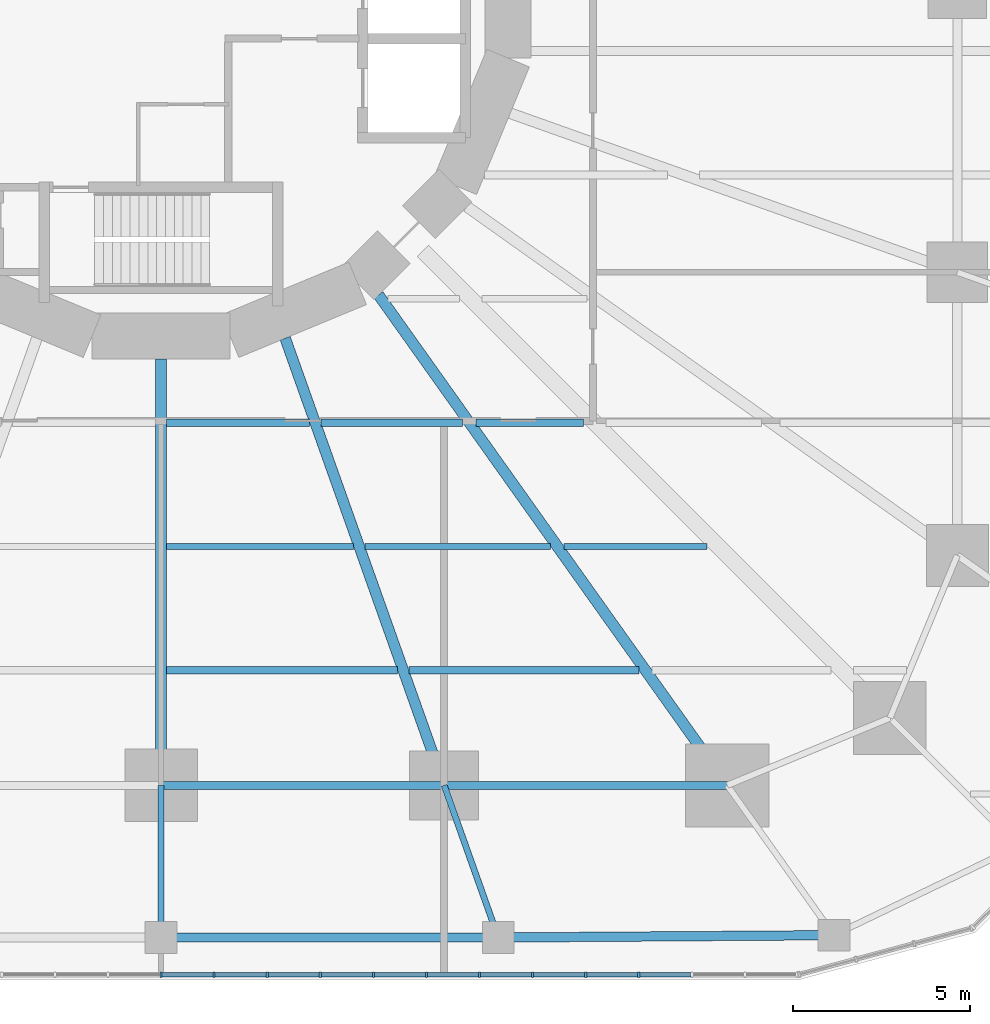
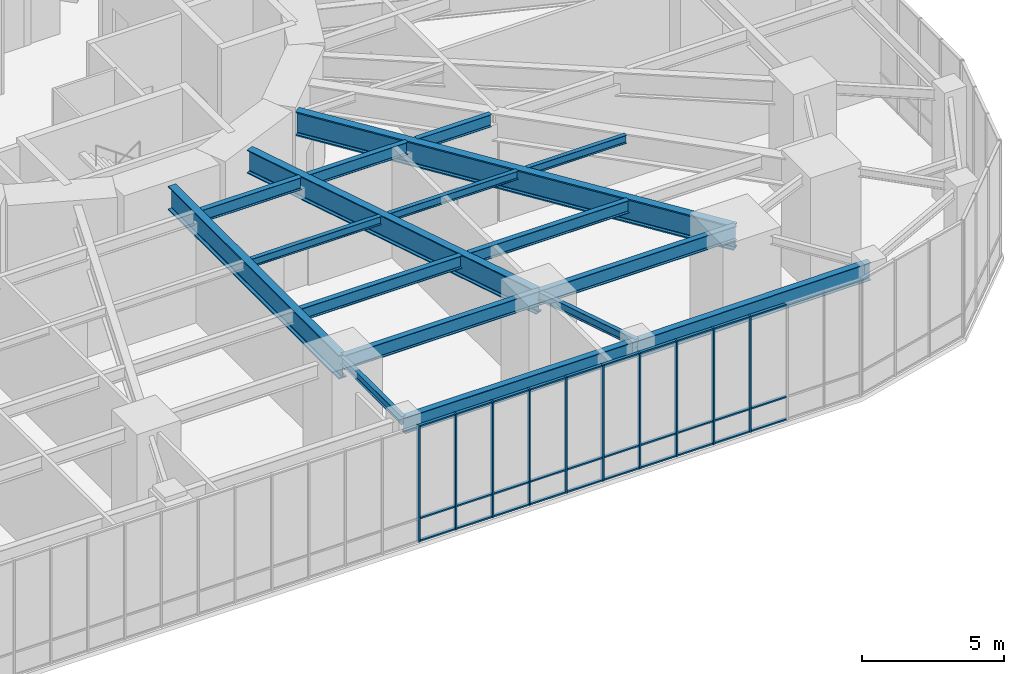
# One storey, part 6 of 24: 40 members, 17 beams, 1 element without a shape of its own.
"""IFC4 building model written with IfcOpenShell, lengths in metres."""

from ifc_helpers import new_model, si_unit, direction, frame, origin, origin_2d, place, context, subcontext, project, spatial, rectangle, i_section, extrude, material, material_profile, profile_set, type_object, element, aggregate, save


model = new_model("IFC4")

# Units and contexts
model_context = context("Model", 3, precision=1e-05, world=origin(), true_north=direction((0.0, 1.0)))
body_context = subcontext(model_context, "Body", "Model", "MODEL_VIEW")
ifc_project = project(units=[si_unit("LENGTHUNIT", "METRE"), si_unit("AREAUNIT", "SQUARE_METRE"), si_unit("VOLUMEUNIT", "CUBIC_METRE"), si_unit("PLANEANGLEUNIT", "RADIAN"), si_unit("MASSUNIT", "GRAM", prefix="KILO")], contexts=[model_context])

# Site, building, storey
site_placement = place(None, origin())
site = spatial("IfcSite", under=ifc_project, at=site_placement, CompositionType="ELEMENT")
building_placement = place(site_placement, origin())
building = spatial("IfcBuilding", under=site, at=building_placement, Name="Nakasero Lantern House", CompositionType="ELEMENT")
storey_placement = place(building_placement, frame((0.0, 0.0, 11.0)))
storey = spatial("IfcBuildingStorey", under=building, at=storey_placement, Name="L02", CompositionType="ELEMENT", Elevation=11.0)

# Beams
ifc_material_1 = material(Name="Steel S355", Category="steel")
ifc_material_profile_1 = material_profile(ifc_material_1, i_section(OverallWidth=0.17138671875, OverallDepth=0.35498046875, WebThickness=0.00732421875, FlangeThickness=0.011474609375, FilletRadius=0.01025390625, at=origin_2d()), Name="UB 356x171x51")
ifc_profile_set_1 = profile_set([ifc_material_profile_1], Name="Steel S355")
beam_type_1 = type_object("IfcBeamType", Name="Infill beam UB 356x171x51", PredefinedType="JOIST", material=ifc_profile_set_1)
beam_1_placement = place(storey_placement, frame((0.152587890625, -15.75, 4.62255859375), z_axis=(1.0, 0.0, 0.0), x_axis=(0.0, 1.0, 0.0)))
element("IfcBeam", 1, at=beam_1_placement, inside=storey, type_object=beam_type_1, Name="Infill beam L03 04.4", PredefinedType="JOIST", context=body_context, shape_type="SweptSolid", body=[
    extrude(i_section(OverallWidth=0.17138671875, OverallDepth=0.35498046875, WebThickness=0.00732421875, FlangeThickness=0.011474609375, FilletRadius=0.01025390625, at=origin_2d()), origin(), (0.0, 0.0, 1.0), 5.287109375),
])
beam_2_placement = place(storey_placement, frame((5.76025390625, -15.75, 4.62255859375), z_axis=(1.0, 0.0, 0.0), x_axis=(0.0, 1.0, 0.0)))
element("IfcBeam", 2, at=beam_2_placement, inside=storey, type_object=beam_type_1, Name="Infill beam L03 04.5", PredefinedType="JOIST", context=body_context, shape_type="SweptSolid", body=[
    extrude(i_section(OverallWidth=0.17138671875, OverallDepth=0.35498046875, WebThickness=0.00732421875, FlangeThickness=0.011474609375, FilletRadius=0.01025390625, at=origin_2d()), origin(), (0.0, 0.0, 1.0), 5.25048828125),
])
beam_3_placement = place(storey_placement, frame((11.38916015625, -15.75, 4.62255859375), z_axis=(1.0, 0.0, 0.0), x_axis=(0.0, 1.0, 0.0)))
element("IfcBeam", 3, at=beam_3_placement, inside=storey, type_object=beam_type_1, Name="Infill beam L03 04.6", PredefinedType="JOIST", context=body_context, shape_type="SweptSolid", body=[
    extrude(i_section(OverallWidth=0.17138671875, OverallDepth=0.35498046875, WebThickness=0.00732421875, FlangeThickness=0.011474609375, FilletRadius=0.01025390625, at=origin_2d()), origin(), (0.0, 0.0, 1.0), 4.042724609375),
])
ifc_material_2 = material(Name="Steel S355", Category="steel")
ifc_material_profile_2 = material_profile(ifc_material_2, i_section(OverallWidth=0.2099609375, OverallDepth=0.53662109375, WebThickness=0.0107421875, FlangeThickness=0.017333984375, FilletRadius=0.0126953125, at=origin_2d()), Name="UB 533x210x101")
ifc_profile_set_2 = profile_set([ifc_material_profile_2], Name="Steel S355")
beam_type_2 = type_object("IfcBeamType", Name="Infill beam UB 533x210x101", PredefinedType="JOIST", material=ifc_profile_set_2)
beam_4_placement = place(storey_placement, frame((0.152587890625, -19.25, 4.53173828125), z_axis=(1.0, 0.0, 0.0), x_axis=(0.0, 1.0, 0.0)))
element("IfcBeam", 4, at=beam_4_placement, inside=storey, type_object=beam_type_2, Name="Infill beam L03 03.5", PredefinedType="JOIST", context=body_context, shape_type="SweptSolid", body=[
    extrude(i_section(OverallWidth=0.2099609375, OverallDepth=0.53662109375, WebThickness=0.0107421875, FlangeThickness=0.017333984375, FilletRadius=0.0126953125, at=origin_2d()), origin(), (0.0, 0.0, 1.0), 6.531494140625),
])
beam_5_placement = place(storey_placement, frame((7.004638671875, -19.25, 4.53173828125), z_axis=(1.0, 0.0, 0.0), x_axis=(0.0, 1.0, 0.0)))
element("IfcBeam", 5, at=beam_5_placement, inside=storey, type_object=beam_type_2, Name="Infill beam L03 03.6", PredefinedType="JOIST", context=body_context, shape_type="SweptSolid", body=[
    extrude(i_section(OverallWidth=0.2099609375, OverallDepth=0.53662109375, WebThickness=0.0107421875, FlangeThickness=0.017333984375, FilletRadius=0.0126953125, at=origin_2d()), origin(), (0.0, 0.0, 1.0), 6.494873046875),
])
ifc_material_3 = material(Name="Steel S355", Category="steel")
ifc_material_profile_3 = material_profile(ifc_material_3, i_section(OverallWidth=0.208740234375, OverallDepth=0.5283203125, WebThickness=0.009521484375, FlangeThickness=0.01318359375, FilletRadius=0.0126953125, at=origin_2d()), Name="UB 533x210x82")
ifc_profile_set_3 = profile_set([ifc_material_profile_3], Name="Steel S355")
beam_type_3 = type_object("IfcBeamType", Name="Infill beam UB 533x210x82", PredefinedType="JOIST", material=ifc_profile_set_3)
beam_6_placement = place(storey_placement, frame((0.152587890625, -12.25, 4.535888671875), z_axis=(1.0, 0.0, 0.0), x_axis=(0.0, 1.0, 0.0)))
element("IfcBeam", 6, at=beam_6_placement, inside=storey, type_object=beam_type_3, Name="Infill beam L03 05.7", PredefinedType="JOIST", context=body_context, shape_type="SweptSolid", body=[
    extrude(i_section(OverallWidth=0.208740234375, OverallDepth=0.5283203125, WebThickness=0.009521484375, FlangeThickness=0.01318359375, FilletRadius=0.0126953125, at=origin_2d()), origin(), (0.0, 0.0, 1.0), 4.042724609375),
])
beam_7_placement = place(storey_placement, frame((4.515869140625, -12.25, 4.535888671875), z_axis=(1.0, 0.0, 0.0), x_axis=(0.0, 1.0, 0.0)))
element("IfcBeam", 7, at=beam_7_placement, inside=storey, type_object=beam_type_3, Name="Infill beam L03 05.8", PredefinedType="JOIST", context=body_context, shape_type="SweptSolid", body=[
    extrude(i_section(OverallWidth=0.208740234375, OverallDepth=0.5283203125, WebThickness=0.009521484375, FlangeThickness=0.01318359375, FilletRadius=0.0126953125, at=origin_2d()), origin(), (0.0, 0.0, 1.0), 4.005859375),
])
beam_8_placement = place(storey_placement, frame((8.900390625, -12.25, 4.535888671875), z_axis=(1.0, 0.0, 0.0), x_axis=(0.0, 1.0, 0.0)))
element("IfcBeam", 8, at=beam_8_placement, inside=storey, type_object=beam_type_3, Name="Infill beam L03 05.9", PredefinedType="JOIST", context=body_context, shape_type="SweptSolid", body=[
    extrude(i_section(OverallWidth=0.208740234375, OverallDepth=0.5283203125, WebThickness=0.009521484375, FlangeThickness=0.01318359375, FilletRadius=0.0126953125, at=origin_2d()), origin(), (0.0, 0.0, 1.0), 3.031494140625),
])

# Curtain wall, members
ifc_material_4 = material(Name="Aluminium 6063-T6 and glass", Category="aluminium")
curtain_wall_type = type_object("IfcCurtainWallType", Name="Podium curtain wall CW-2", PredefinedType="USERDEFINED", material=ifc_material_4)
curtain_wall_placement = place(storey_placement, origin())
curtain_wall = element("IfcCurtainWall", 9, at=curtain_wall_placement, inside=storey, type_object=curtain_wall_type, Name="Curtain wall CW-2 L02", ObjectType="STICK CURTAIN WALL", PredefinedType="USERDEFINED")
ifc_material_5 = material(Name="Aluminium 6063-T6", Category="aluminium")
ifc_material_profile_4 = material_profile(ifc_material_5, rectangle(XDim=0.06005859375, YDim=0.159912109375, at=origin_2d()), Name="CW-2 mullion 60x160")
ifc_profile_set_4 = profile_set([ifc_material_profile_4], Name="Aluminium 6063-T6")
member_type_1 = type_object("IfcMemberType", Name="Mullion CW-2", PredefinedType="MULLION", material=ifc_profile_set_4)
member_1_placement = place(storey_placement, frame((0.0, -27.85009765625, 0.0), z_axis=(0.0, 0.0, 1.0), x_axis=(1.0, 0.0, 0.0)))
member_1 = element("IfcMember", 10, at=member_1_placement, type_object=member_type_1, Name="CW-2 mullion 13", PredefinedType="MULLION", context=body_context, shape_type="SweptSolid", body=[
    extrude(rectangle(XDim=0.06005859375, YDim=0.159912109375, at=origin_2d()), origin(), (0.0, 0.0, 1.0), 5.0),
])
member_2_placement = place(storey_placement, frame((1.5, -27.85009765625, 0.0), z_axis=(0.0, 0.0, 1.0), x_axis=(1.0, 0.0, 0.0)))
member_2 = element("IfcMember", 11, at=member_2_placement, type_object=member_type_1, Name="CW-2 mullion 14", PredefinedType="MULLION", context=body_context, shape_type="SweptSolid", body=[
    extrude(rectangle(XDim=0.06005859375, YDim=0.159912109375, at=origin_2d()), origin(), (0.0, 0.0, 1.0), 5.0),
])
member_3_placement = place(storey_placement, frame((3.0, -27.85009765625, 0.0), z_axis=(0.0, 0.0, 1.0), x_axis=(1.0, 0.0, 0.0)))
member_3 = element("IfcMember", 12, at=member_3_placement, type_object=member_type_1, Name="CW-2 mullion 15", PredefinedType="MULLION", context=body_context, shape_type="SweptSolid", body=[
    extrude(rectangle(XDim=0.06005859375, YDim=0.159912109375, at=origin_2d()), origin(), (0.0, 0.0, 1.0), 5.0),
])
member_4_placement = place(storey_placement, frame((4.5, -27.85009765625, 0.0), z_axis=(0.0, 0.0, 1.0), x_axis=(1.0, 0.0, 0.0)))
member_4 = element("IfcMember", 13, at=member_4_placement, type_object=member_type_1, Name="CW-2 mullion 16", PredefinedType="MULLION", context=body_context, shape_type="SweptSolid", body=[
    extrude(rectangle(XDim=0.06005859375, YDim=0.159912109375, at=origin_2d()), origin(), (0.0, 0.0, 1.0), 5.0),
])
member_5_placement = place(storey_placement, frame((6.0, -27.85009765625, 0.0), z_axis=(0.0, 0.0, 1.0), x_axis=(1.0, 0.0, 0.0)))
member_5 = element("IfcMember", 14, at=member_5_placement, type_object=member_type_1, Name="CW-2 mullion 17", PredefinedType="MULLION", context=body_context, shape_type="SweptSolid", body=[
    extrude(rectangle(XDim=0.06005859375, YDim=0.159912109375, at=origin_2d()), origin(), (0.0, 0.0, 1.0), 5.0),
])
member_6_placement = place(storey_placement, frame((7.5, -27.85009765625, 0.0), z_axis=(0.0, 0.0, 1.0), x_axis=(1.0, 0.0, 0.0)))
member_6 = element("IfcMember", 15, at=member_6_placement, type_object=member_type_1, Name="CW-2 mullion 18", PredefinedType="MULLION", context=body_context, shape_type="SweptSolid", body=[
    extrude(rectangle(XDim=0.06005859375, YDim=0.159912109375, at=origin_2d()), origin(), (0.0, 0.0, 1.0), 5.0),
])
member_7_placement = place(storey_placement, frame((9.0, -27.85009765625, 0.0), z_axis=(0.0, 0.0, 1.0), x_axis=(1.0, 0.0, 0.0)))
member_7 = element("IfcMember", 16, at=member_7_placement, type_object=member_type_1, Name="CW-2 mullion 19", PredefinedType="MULLION", context=body_context, shape_type="SweptSolid", body=[
    extrude(rectangle(XDim=0.06005859375, YDim=0.159912109375, at=origin_2d()), origin(), (0.0, 0.0, 1.0), 5.0),
])
member_8_placement = place(storey_placement, frame((10.5, -27.85009765625, 0.0), z_axis=(0.0, 0.0, 1.0), x_axis=(1.0, 0.0, 0.0)))
member_8 = element("IfcMember", 17, at=member_8_placement, type_object=member_type_1, Name="CW-2 mullion 20", PredefinedType="MULLION", context=body_context, shape_type="SweptSolid", body=[
    extrude(rectangle(XDim=0.06005859375, YDim=0.159912109375, at=origin_2d()), origin(), (0.0, 0.0, 1.0), 5.0),
])
member_9_placement = place(storey_placement, frame((12.0, -27.85009765625, 0.0), z_axis=(0.0, 0.0, 1.0), x_axis=(1.0, 0.0, 0.0)))
member_9 = element("IfcMember", 18, at=member_9_placement, type_object=member_type_1, Name="CW-2 mullion 21", PredefinedType="MULLION", context=body_context, shape_type="SweptSolid", body=[
    extrude(rectangle(XDim=0.06005859375, YDim=0.159912109375, at=origin_2d()), origin(), (0.0, 0.0, 1.0), 5.0),
])
member_10_placement = place(storey_placement, frame((13.5, -27.85009765625, 0.0), z_axis=(0.0, 0.0, 1.0), x_axis=(1.0, 0.0, 0.0)))
member_10 = element("IfcMember", 19, at=member_10_placement, type_object=member_type_1, Name="CW-2 mullion 22", PredefinedType="MULLION", context=body_context, shape_type="SweptSolid", body=[
    extrude(rectangle(XDim=0.06005859375, YDim=0.159912109375, at=origin_2d()), origin(), (0.0, 0.0, 1.0), 5.0),
])

# Beams
ifc_material_6 = material(Name="Steel S355", Category="steel")
ifc_material_profile_5 = material_profile(ifc_material_6, i_section(OverallWidth=0.302001953125, OverallDepth=1.008056640625, WebThickness=0.02099609375, FlangeThickness=0.0400390625, FilletRadius=0.030029296875, at=origin_2d()), Name="UB 1016x305x349")
ifc_profile_set_5 = profile_set([ifc_material_profile_5], Name="Steel S355")
beam_type_4 = type_object("IfcBeamType", Name="Primary beam UB 1016x305x349, span 12 to 15 m", PredefinedType="BEAM", material=ifc_profile_set_5)
beam_9_placement = place(storey_placement, frame((8.0, -22.5, 4.2958984375), z_axis=(-0.335010745293, 0.942214307118, 0.0), x_axis=(-0.942214307118, -0.335010745293, 0.0)))
element("IfcBeam", 20, at=beam_9_placement, inside=storey, type_object=beam_type_4, Name="Primary beam L03 B1-C22", PredefinedType="BEAM", context=body_context, shape_type="SweptSolid", body=[
    extrude(i_section(OverallWidth=0.302001953125, OverallDepth=1.008056640625, WebThickness=0.02099609375, FlangeThickness=0.0400390625, FilletRadius=0.030029296875, at=origin_2d()), origin(), (0.0, 0.0, 1.0), 13.408447265625),
])
ifc_material_7 = material(Name="Steel S355", Category="steel")
ifc_material_profile_6 = material_profile(ifc_material_7, i_section(OverallWidth=0.305419921875, OverallDepth=1.026123046875, WebThickness=0.02685546875, FlangeThickness=0.049072265625, FilletRadius=0.030029296875, at=origin_2d()), Name="UB 1016x305x437")
ifc_profile_set_6 = profile_set([ifc_material_profile_6], Name="Steel S355")
beam_type_5 = type_object("IfcBeamType", Name="Primary beam UB 1016x305x437, span 12 to 15 m", PredefinedType="BEAM", material=ifc_profile_set_6)
beam_10_placement = place(storey_placement, frame((0.0, -22.5, 4.286865234375), z_axis=(0.0, 1.0, 0.0), x_axis=(-1.0, 0.0, 0.0)))
element("IfcBeam", 21, at=beam_10_placement, inside=storey, type_object=beam_type_5, Name="Primary beam L03 B1-C21", PredefinedType="BEAM", context=body_context, shape_type="SweptSolid", body=[
    extrude(i_section(OverallWidth=0.305419921875, OverallDepth=1.026123046875, WebThickness=0.02685546875, FlangeThickness=0.049072265625, FilletRadius=0.030029296875, at=origin_2d()), origin(), (0.0, 0.0, 1.0), 12.042236328125),
])
ifc_material_8 = material(Name="Steel S355", Category="steel")
ifc_material_profile_7 = material_profile(ifc_material_8, i_section(OverallWidth=0.30859375, OverallDepth=1.036376953125, WebThickness=0.030029296875, FlangeThickness=0.05419921875, FilletRadius=0.030029296875, at=origin_2d()), Name="UB 1016x305x487")
ifc_profile_set_7 = profile_set([ifc_material_profile_7], Name="Steel S355")
beam_type_6 = type_object("IfcBeamType", Name="Primary beam UB 1016x305x487, span over 15 m", PredefinedType="BEAM", material=ifc_profile_set_7)
beam_11_placement = place(storey_placement, frame((16.0, -22.5, 4.28173828125), z_axis=(-0.579528236629, 0.814952159915, 0.0), x_axis=(-0.814952159915, -0.579528236629, 0.0)))
element("IfcBeam", 22, at=beam_11_placement, inside=storey, type_object=beam_type_6, Name="Primary beam L03 B1-C23", PredefinedType="BEAM", context=body_context, shape_type="SweptSolid", body=[
    extrude(i_section(OverallWidth=0.30859375, OverallDepth=1.036376953125, WebThickness=0.030029296875, FlangeThickness=0.05419921875, FilletRadius=0.030029296875, at=origin_2d()), origin(), (0.0, 0.0, 1.0), 17.003173828125),
])
ifc_material_9 = material(Name="Steel S355", Category="steel")
ifc_material_profile_8 = material_profile(ifc_material_9, i_section(OverallWidth=0.17138671875, OverallDepth=0.35498046875, WebThickness=0.00732421875, FlangeThickness=0.011474609375, FilletRadius=0.01025390625, at=origin_2d()), Name="UB 356x171x51")
ifc_profile_set_8 = profile_set([ifc_material_profile_8], Name="Steel S355")
beam_type_7 = type_object("IfcBeamType", Name="Primary beam UB 356x171x51, span to 6 m", PredefinedType="BEAM", material=ifc_profile_set_8)
beam_12_placement = place(storey_placement, frame((0.0, -26.800048828125, 4.572509765625), z_axis=(0.0, 1.0, 0.0), x_axis=(-1.0, 0.0, 0.0)))
element("IfcBeam", 23, at=beam_12_placement, inside=storey, type_object=beam_type_7, Name="Primary beam L03 POD-C21", PredefinedType="BEAM", context=body_context, shape_type="SweptSolid", body=[
    extrude(i_section(OverallWidth=0.17138671875, OverallDepth=0.35498046875, WebThickness=0.00732421875, FlangeThickness=0.011474609375, FilletRadius=0.01025390625, at=origin_2d()), origin(), (0.0, 0.0, 1.0), 4.300048828125),
])
beam_13_placement = place(storey_placement, frame((9.52880859375, -26.800048828125, 4.572509765625), z_axis=(-0.334990670833, 0.942221444489, 0.0), x_axis=(-0.942221444489, -0.334990670833, 0.0)))
element("IfcBeam", 24, at=beam_13_placement, inside=storey, type_object=beam_type_7, Name="Primary beam L03 POD-C22", PredefinedType="BEAM", context=body_context, shape_type="SweptSolid", body=[
    extrude(i_section(OverallWidth=0.17138671875, OverallDepth=0.35498046875, WebThickness=0.00732421875, FlangeThickness=0.011474609375, FilletRadius=0.01025390625, at=origin_2d()), origin(), (0.0, 0.0, 1.0), 4.563720703125),
])
ifc_material_10 = material(Name="Steel S355", Category="steel")
ifc_material_profile_9 = material_profile(ifc_material_10, i_section(OverallWidth=0.22900390625, OverallDepth=0.6123046875, WebThickness=0.011962890625, FlangeThickness=0.01953125, FilletRadius=0.0126953125, at=origin_2d()), Name="UB 610x229x125")
ifc_profile_set_9 = profile_set([ifc_material_profile_9], Name="Steel S355")
beam_type_8 = type_object("IfcBeamType", Name="Ring beam UB 610x229x125", PredefinedType="BEAM", material=ifc_profile_set_9)
for number, where, z_axis, x_axis, name in (
    (25, (0.0, -22.5, 4.493896484375), (1.0, 0.0, 0.0), (0.0, 1.0, 0.0), "Ring beam L03 B1-C21"),
    (26, (8.0, -22.5, 4.493896484375), (1.0, 0.0, 0.0), (0.0, 1.0, 0.0), "Ring beam L03 B1-C22"),
):
    element("IfcBeam", number, at=place(storey_placement, frame(where, z_axis=z_axis, x_axis=x_axis)), inside=storey, type_object=beam_type_8, Name=name, PredefinedType="BEAM", context=body_context, shape_type="SweptSolid", body=[
        extrude(i_section(OverallWidth=0.22900390625, OverallDepth=0.6123046875, WebThickness=0.011962890625, FlangeThickness=0.01953125, FilletRadius=0.0126953125, at=origin_2d()), origin(), (0.0, 0.0, 1.0), 8.0),
    ])
ifc_material_11 = material(Name="Steel S355", Category="steel")
ifc_material_profile_10 = material_profile(ifc_material_11, i_section(OverallWidth=0.255859375, OverallDepth=0.69287109375, WebThickness=0.014404296875, FlangeThickness=0.023681640625, FilletRadius=0.01513671875, at=origin_2d()), Name="UB 686x254x170")
ifc_profile_set_10 = profile_set([ifc_material_profile_10], Name="Steel S355")
beam_type_9 = type_object("IfcBeamType", Name="Ring beam UB 686x254x170", PredefinedType="BEAM", material=ifc_profile_set_10)
beam_14_placement = place(storey_placement, frame((0.0, -26.800048828125, 4.403564453125), z_axis=(1.0, 0.0, 0.0), x_axis=(0.0, 1.0, 0.0)))
element("IfcBeam", 27, at=beam_14_placement, inside=storey, type_object=beam_type_9, Name="Ring beam L03 POD-C21", PredefinedType="BEAM", context=body_context, shape_type="SweptSolid", body=[
    extrude(i_section(OverallWidth=0.255859375, OverallDepth=0.69287109375, WebThickness=0.014404296875, FlangeThickness=0.023681640625, FilletRadius=0.01513671875, at=origin_2d()), origin(), (0.0, 0.0, 1.0), 9.52880859375),
])
ifc_material_12 = material(Name="Steel S355", Category="steel")
ifc_material_profile_11 = material_profile(ifc_material_12, i_section(OverallWidth=0.2666015625, OverallDepth=0.76220703125, WebThickness=0.014404296875, FlangeThickness=0.021484375, FilletRadius=0.0166015625, at=origin_2d()), Name="UB 762x267x173")
ifc_profile_set_11 = profile_set([ifc_material_profile_11], Name="Steel S355")
beam_type_10 = type_object("IfcBeamType", Name="Ring beam UB 762x267x173", PredefinedType="BEAM", material=ifc_profile_set_11)
beam_15_placement = place(storey_placement, frame((9.52880859375, -26.800048828125, 4.368896484375), z_axis=(0.999975476745, 0.007003278482, 0.0), x_axis=(-0.007003278482, 0.999975476745, 0.0)))
element("IfcBeam", 28, at=beam_15_placement, inside=storey, type_object=beam_type_10, Name="Ring beam L03 POD-C22", PredefinedType="BEAM", context=body_context, shape_type="SweptSolid", body=[
    extrude(i_section(OverallWidth=0.2666015625, OverallDepth=0.76220703125, WebThickness=0.014404296875, FlangeThickness=0.021484375, FilletRadius=0.0166015625, at=origin_2d()), origin(), (0.0, 0.0, 1.0), 9.482177734375),
])

# Member
ifc_material_13 = material(Name="Aluminium 6063-T6", Category="aluminium")
ifc_material_profile_12 = material_profile(ifc_material_13, rectangle(XDim=0.06005859375, YDim=0.1201171875, at=origin_2d()), Name="CW-2 transom 60x120")
ifc_profile_set_12 = profile_set([ifc_material_profile_12], Name="Aluminium 6063-T6")
member_type_2 = type_object("IfcMemberType", Name="Transom CW-2", PredefinedType="USERDEFINED", material=ifc_profile_set_12)
member_11_placement = place(storey_placement, frame((0.030029296875, -27.85009765625, 0.030029296875), z_axis=(1.0, 0.0, 0.0), x_axis=(0.0, 0.0, 1.0)))
member_11 = element("IfcMember", 29, at=member_11_placement, type_object=member_type_2, Name="CW-2 transom 13.1", ObjectType="TRANSOM", PredefinedType="USERDEFINED", context=body_context, shape_type="SweptSolid", body=[
    extrude(rectangle(XDim=0.06005859375, YDim=0.1201171875, at=origin_2d()), origin(), (0.0, 0.0, 1.0), 1.43994140625),
])

member_12_placement = place(storey_placement, frame((0.030029296875, -27.85009765625, 1.0), z_axis=(1.0, 0.0, 0.0), x_axis=(0.0, 0.0, 1.0)))
member_12 = element("IfcMember", 30, at=member_12_placement, type_object=member_type_2, Name="CW-2 transom 13.2", ObjectType="TRANSOM", PredefinedType="USERDEFINED", context=body_context, shape_type="SweptSolid", body=[
    extrude(rectangle(XDim=0.06005859375, YDim=0.1201171875, at=origin_2d()), origin(), (0.0, 0.0, 1.0), 1.43994140625),
])

member_13_placement = place(storey_placement, frame((0.030029296875, -27.85009765625, 4.969970703125), z_axis=(1.0, 0.0, 0.0), x_axis=(0.0, 0.0, 1.0)))
member_13 = element("IfcMember", 31, at=member_13_placement, type_object=member_type_2, Name="CW-2 transom 13.3", ObjectType="TRANSOM", PredefinedType="USERDEFINED", context=body_context, shape_type="SweptSolid", body=[
    extrude(rectangle(XDim=0.06005859375, YDim=0.1201171875, at=origin_2d()), origin(), (0.0, 0.0, 1.0), 1.43994140625),
])

member_14_placement = place(storey_placement, frame((1.530029296875, -27.85009765625, 0.030029296875), z_axis=(1.0, 0.0, 0.0), x_axis=(0.0, 0.0, 1.0)))
member_14 = element("IfcMember", 32, at=member_14_placement, type_object=member_type_2, Name="CW-2 transom 14.1", ObjectType="TRANSOM", PredefinedType="USERDEFINED", context=body_context, shape_type="SweptSolid", body=[
    extrude(rectangle(XDim=0.06005859375, YDim=0.1201171875, at=origin_2d()), origin(), (0.0, 0.0, 1.0), 1.43994140625),
])

member_15_placement = place(storey_placement, frame((1.530029296875, -27.85009765625, 1.0), z_axis=(1.0, 0.0, 0.0), x_axis=(0.0, 0.0, 1.0)))
member_15 = element("IfcMember", 33, at=member_15_placement, type_object=member_type_2, Name="CW-2 transom 14.2", ObjectType="TRANSOM", PredefinedType="USERDEFINED", context=body_context, shape_type="SweptSolid", body=[
    extrude(rectangle(XDim=0.06005859375, YDim=0.1201171875, at=origin_2d()), origin(), (0.0, 0.0, 1.0), 1.43994140625),
])

member_16_placement = place(storey_placement, frame((1.530029296875, -27.85009765625, 4.969970703125), z_axis=(1.0, 0.0, 0.0), x_axis=(0.0, 0.0, 1.0)))
member_16 = element("IfcMember", 34, at=member_16_placement, type_object=member_type_2, Name="CW-2 transom 14.3", ObjectType="TRANSOM", PredefinedType="USERDEFINED", context=body_context, shape_type="SweptSolid", body=[
    extrude(rectangle(XDim=0.06005859375, YDim=0.1201171875, at=origin_2d()), origin(), (0.0, 0.0, 1.0), 1.43994140625),
])

member_17_placement = place(storey_placement, frame((3.030029296875, -27.85009765625, 0.030029296875), z_axis=(1.0, 0.0, 0.0), x_axis=(0.0, 0.0, 1.0)))
member_17 = element("IfcMember", 35, at=member_17_placement, type_object=member_type_2, Name="CW-2 transom 15.1", ObjectType="TRANSOM", PredefinedType="USERDEFINED", context=body_context, shape_type="SweptSolid", body=[
    extrude(rectangle(XDim=0.06005859375, YDim=0.1201171875, at=origin_2d()), origin(), (0.0, 0.0, 1.0), 1.43994140625),
])

member_18_placement = place(storey_placement, frame((3.030029296875, -27.85009765625, 1.0), z_axis=(1.0, 0.0, 0.0), x_axis=(0.0, 0.0, 1.0)))
member_18 = element("IfcMember", 36, at=member_18_placement, type_object=member_type_2, Name="CW-2 transom 15.2", ObjectType="TRANSOM", PredefinedType="USERDEFINED", context=body_context, shape_type="SweptSolid", body=[
    extrude(rectangle(XDim=0.06005859375, YDim=0.1201171875, at=origin_2d()), origin(), (0.0, 0.0, 1.0), 1.43994140625),
])

member_19_placement = place(storey_placement, frame((3.030029296875, -27.85009765625, 4.969970703125), z_axis=(1.0, 0.0, 0.0), x_axis=(0.0, 0.0, 1.0)))
member_19 = element("IfcMember", 37, at=member_19_placement, type_object=member_type_2, Name="CW-2 transom 15.3", ObjectType="TRANSOM", PredefinedType="USERDEFINED", context=body_context, shape_type="SweptSolid", body=[
    extrude(rectangle(XDim=0.06005859375, YDim=0.1201171875, at=origin_2d()), origin(), (0.0, 0.0, 1.0), 1.43994140625),
])

member_20_placement = place(storey_placement, frame((4.530029296875, -27.85009765625, 0.030029296875), z_axis=(1.0, 0.0, 0.0), x_axis=(0.0, 0.0, 1.0)))
member_20 = element("IfcMember", 38, at=member_20_placement, type_object=member_type_2, Name="CW-2 transom 16.1", ObjectType="TRANSOM", PredefinedType="USERDEFINED", context=body_context, shape_type="SweptSolid", body=[
    extrude(rectangle(XDim=0.06005859375, YDim=0.1201171875, at=origin_2d()), origin(), (0.0, 0.0, 1.0), 1.43994140625),
])

member_21_placement = place(storey_placement, frame((4.530029296875, -27.85009765625, 1.0), z_axis=(1.0, 0.0, 0.0), x_axis=(0.0, 0.0, 1.0)))
member_21 = element("IfcMember", 39, at=member_21_placement, type_object=member_type_2, Name="CW-2 transom 16.2", ObjectType="TRANSOM", PredefinedType="USERDEFINED", context=body_context, shape_type="SweptSolid", body=[
    extrude(rectangle(XDim=0.06005859375, YDim=0.1201171875, at=origin_2d()), origin(), (0.0, 0.0, 1.0), 1.43994140625),
])

member_22_placement = place(storey_placement, frame((4.530029296875, -27.85009765625, 4.969970703125), z_axis=(1.0, 0.0, 0.0), x_axis=(0.0, 0.0, 1.0)))
member_22 = element("IfcMember", 40, at=member_22_placement, type_object=member_type_2, Name="CW-2 transom 16.3", ObjectType="TRANSOM", PredefinedType="USERDEFINED", context=body_context, shape_type="SweptSolid", body=[
    extrude(rectangle(XDim=0.06005859375, YDim=0.1201171875, at=origin_2d()), origin(), (0.0, 0.0, 1.0), 1.43994140625),
])

member_23_placement = place(storey_placement, frame((6.030029296875, -27.85009765625, 0.030029296875), z_axis=(1.0, 0.0, 0.0), x_axis=(0.0, 0.0, 1.0)))
member_23 = element("IfcMember", 41, at=member_23_placement, type_object=member_type_2, Name="CW-2 transom 17.1", ObjectType="TRANSOM", PredefinedType="USERDEFINED", context=body_context, shape_type="SweptSolid", body=[
    extrude(rectangle(XDim=0.06005859375, YDim=0.1201171875, at=origin_2d()), origin(), (0.0, 0.0, 1.0), 1.43994140625),
])

member_24_placement = place(storey_placement, frame((6.030029296875, -27.85009765625, 1.0), z_axis=(1.0, 0.0, 0.0), x_axis=(0.0, 0.0, 1.0)))
member_24 = element("IfcMember", 42, at=member_24_placement, type_object=member_type_2, Name="CW-2 transom 17.2", ObjectType="TRANSOM", PredefinedType="USERDEFINED", context=body_context, shape_type="SweptSolid", body=[
    extrude(rectangle(XDim=0.06005859375, YDim=0.1201171875, at=origin_2d()), origin(), (0.0, 0.0, 1.0), 1.43994140625),
])

member_25_placement = place(storey_placement, frame((6.030029296875, -27.85009765625, 4.969970703125), z_axis=(1.0, 0.0, 0.0), x_axis=(0.0, 0.0, 1.0)))
member_25 = element("IfcMember", 43, at=member_25_placement, type_object=member_type_2, Name="CW-2 transom 17.3", ObjectType="TRANSOM", PredefinedType="USERDEFINED", context=body_context, shape_type="SweptSolid", body=[
    extrude(rectangle(XDim=0.06005859375, YDim=0.1201171875, at=origin_2d()), origin(), (0.0, 0.0, 1.0), 1.43994140625),
])

member_26_placement = place(storey_placement, frame((7.530029296875, -27.85009765625, 0.030029296875), z_axis=(1.0, 0.0, 0.0), x_axis=(0.0, 0.0, 1.0)))
member_26 = element("IfcMember", 44, at=member_26_placement, type_object=member_type_2, Name="CW-2 transom 18.1", ObjectType="TRANSOM", PredefinedType="USERDEFINED", context=body_context, shape_type="SweptSolid", body=[
    extrude(rectangle(XDim=0.06005859375, YDim=0.1201171875, at=origin_2d()), origin(), (0.0, 0.0, 1.0), 1.43994140625),
])

member_27_placement = place(storey_placement, frame((7.530029296875, -27.85009765625, 1.0), z_axis=(1.0, 0.0, 0.0), x_axis=(0.0, 0.0, 1.0)))
member_27 = element("IfcMember", 45, at=member_27_placement, type_object=member_type_2, Name="CW-2 transom 18.2", ObjectType="TRANSOM", PredefinedType="USERDEFINED", context=body_context, shape_type="SweptSolid", body=[
    extrude(rectangle(XDim=0.06005859375, YDim=0.1201171875, at=origin_2d()), origin(), (0.0, 0.0, 1.0), 1.43994140625),
])

member_28_placement = place(storey_placement, frame((7.530029296875, -27.85009765625, 4.969970703125), z_axis=(1.0, 0.0, 0.0), x_axis=(0.0, 0.0, 1.0)))
member_28 = element("IfcMember", 46, at=member_28_placement, type_object=member_type_2, Name="CW-2 transom 18.3", ObjectType="TRANSOM", PredefinedType="USERDEFINED", context=body_context, shape_type="SweptSolid", body=[
    extrude(rectangle(XDim=0.06005859375, YDim=0.1201171875, at=origin_2d()), origin(), (0.0, 0.0, 1.0), 1.43994140625),
])

member_29_placement = place(storey_placement, frame((9.030029296875, -27.85009765625, 0.030029296875), z_axis=(1.0, 0.0, 0.0), x_axis=(0.0, 0.0, 1.0)))
member_29 = element("IfcMember", 47, at=member_29_placement, type_object=member_type_2, Name="CW-2 transom 19.1", ObjectType="TRANSOM", PredefinedType="USERDEFINED", context=body_context, shape_type="SweptSolid", body=[
    extrude(rectangle(XDim=0.06005859375, YDim=0.1201171875, at=origin_2d()), origin(), (0.0, 0.0, 1.0), 1.43994140625),
])

member_30_placement = place(storey_placement, frame((9.030029296875, -27.85009765625, 1.0), z_axis=(1.0, 0.0, 0.0), x_axis=(0.0, 0.0, 1.0)))
member_30 = element("IfcMember", 48, at=member_30_placement, type_object=member_type_2, Name="CW-2 transom 19.2", ObjectType="TRANSOM", PredefinedType="USERDEFINED", context=body_context, shape_type="SweptSolid", body=[
    extrude(rectangle(XDim=0.06005859375, YDim=0.1201171875, at=origin_2d()), origin(), (0.0, 0.0, 1.0), 1.43994140625),
])

member_31_placement = place(storey_placement, frame((9.030029296875, -27.85009765625, 4.969970703125), z_axis=(1.0, 0.0, 0.0), x_axis=(0.0, 0.0, 1.0)))
member_31 = element("IfcMember", 49, at=member_31_placement, type_object=member_type_2, Name="CW-2 transom 19.3", ObjectType="TRANSOM", PredefinedType="USERDEFINED", context=body_context, shape_type="SweptSolid", body=[
    extrude(rectangle(XDim=0.06005859375, YDim=0.1201171875, at=origin_2d()), origin(), (0.0, 0.0, 1.0), 1.43994140625),
])

member_32_placement = place(storey_placement, frame((10.530029296875, -27.85009765625, 0.030029296875), z_axis=(1.0, 0.0, 0.0), x_axis=(0.0, 0.0, 1.0)))
member_32 = element("IfcMember", 50, at=member_32_placement, type_object=member_type_2, Name="CW-2 transom 20.1", ObjectType="TRANSOM", PredefinedType="USERDEFINED", context=body_context, shape_type="SweptSolid", body=[
    extrude(rectangle(XDim=0.06005859375, YDim=0.1201171875, at=origin_2d()), origin(), (0.0, 0.0, 1.0), 1.43994140625),
])

member_33_placement = place(storey_placement, frame((10.530029296875, -27.85009765625, 1.0), z_axis=(1.0, 0.0, 0.0), x_axis=(0.0, 0.0, 1.0)))
member_33 = element("IfcMember", 51, at=member_33_placement, type_object=member_type_2, Name="CW-2 transom 20.2", ObjectType="TRANSOM", PredefinedType="USERDEFINED", context=body_context, shape_type="SweptSolid", body=[
    extrude(rectangle(XDim=0.06005859375, YDim=0.1201171875, at=origin_2d()), origin(), (0.0, 0.0, 1.0), 1.43994140625),
])

member_34_placement = place(storey_placement, frame((10.530029296875, -27.85009765625, 4.969970703125), z_axis=(1.0, 0.0, 0.0), x_axis=(0.0, 0.0, 1.0)))
member_34 = element("IfcMember", 52, at=member_34_placement, type_object=member_type_2, Name="CW-2 transom 20.3", ObjectType="TRANSOM", PredefinedType="USERDEFINED", context=body_context, shape_type="SweptSolid", body=[
    extrude(rectangle(XDim=0.06005859375, YDim=0.1201171875, at=origin_2d()), origin(), (0.0, 0.0, 1.0), 1.43994140625),
])

member_35_placement = place(storey_placement, frame((12.030029296875, -27.85009765625, 0.030029296875), z_axis=(1.0, 0.0, 0.0), x_axis=(0.0, 0.0, 1.0)))
member_35 = element("IfcMember", 53, at=member_35_placement, type_object=member_type_2, Name="CW-2 transom 21.1", ObjectType="TRANSOM", PredefinedType="USERDEFINED", context=body_context, shape_type="SweptSolid", body=[
    extrude(rectangle(XDim=0.06005859375, YDim=0.1201171875, at=origin_2d()), origin(), (0.0, 0.0, 1.0), 1.43994140625),
])

member_36_placement = place(storey_placement, frame((12.030029296875, -27.85009765625, 1.0), z_axis=(1.0, 0.0, 0.0), x_axis=(0.0, 0.0, 1.0)))
member_36 = element("IfcMember", 54, at=member_36_placement, type_object=member_type_2, Name="CW-2 transom 21.2", ObjectType="TRANSOM", PredefinedType="USERDEFINED", context=body_context, shape_type="SweptSolid", body=[
    extrude(rectangle(XDim=0.06005859375, YDim=0.1201171875, at=origin_2d()), origin(), (0.0, 0.0, 1.0), 1.43994140625),
])

member_37_placement = place(storey_placement, frame((12.030029296875, -27.85009765625, 4.969970703125), z_axis=(1.0, 0.0, 0.0), x_axis=(0.0, 0.0, 1.0)))
member_37 = element("IfcMember", 55, at=member_37_placement, type_object=member_type_2, Name="CW-2 transom 21.3", ObjectType="TRANSOM", PredefinedType="USERDEFINED", context=body_context, shape_type="SweptSolid", body=[
    extrude(rectangle(XDim=0.06005859375, YDim=0.1201171875, at=origin_2d()), origin(), (0.0, 0.0, 1.0), 1.43994140625),
])

member_38_placement = place(storey_placement, frame((13.530029296875, -27.85009765625, 0.030029296875), z_axis=(1.0, 0.0, 0.0), x_axis=(0.0, 0.0, 1.0)))
member_38 = element("IfcMember", 56, at=member_38_placement, type_object=member_type_2, Name="CW-2 transom 22.1", ObjectType="TRANSOM", PredefinedType="USERDEFINED", context=body_context, shape_type="SweptSolid", body=[
    extrude(rectangle(XDim=0.06005859375, YDim=0.1201171875, at=origin_2d()), origin(), (0.0, 0.0, 1.0), 1.43994140625),
])

member_39_placement = place(storey_placement, frame((13.530029296875, -27.85009765625, 1.0), z_axis=(1.0, 0.0, 0.0), x_axis=(0.0, 0.0, 1.0)))
member_39 = element("IfcMember", 57, at=member_39_placement, type_object=member_type_2, Name="CW-2 transom 22.2", ObjectType="TRANSOM", PredefinedType="USERDEFINED", context=body_context, shape_type="SweptSolid", body=[
    extrude(rectangle(XDim=0.06005859375, YDim=0.1201171875, at=origin_2d()), origin(), (0.0, 0.0, 1.0), 1.43994140625),
])

member_40_placement = place(storey_placement, frame((13.530029296875, -27.85009765625, 4.969970703125), z_axis=(1.0, 0.0, 0.0), x_axis=(0.0, 0.0, 1.0)))
member_40 = element("IfcMember", 58, at=member_40_placement, type_object=member_type_2, Name="CW-2 transom 22.3", ObjectType="TRANSOM", PredefinedType="USERDEFINED", context=body_context, shape_type="SweptSolid", body=[
    extrude(rectangle(XDim=0.06005859375, YDim=0.1201171875, at=origin_2d()), origin(), (0.0, 0.0, 1.0), 1.43994140625),
])

aggregate(curtain_wall, [member_1, member_2, member_3, member_4, member_5, member_6, member_7, member_8, member_9, member_10, member_11, member_12, member_13, member_14, member_15, member_16, member_17, member_18, member_19, member_20, member_21, member_22, member_23, member_24, member_25, member_26, member_27, member_28, member_29, member_30, member_31, member_32, member_33, member_34, member_35, member_36, member_37, member_38, member_39, member_40])

save(model, "model.ifc")
